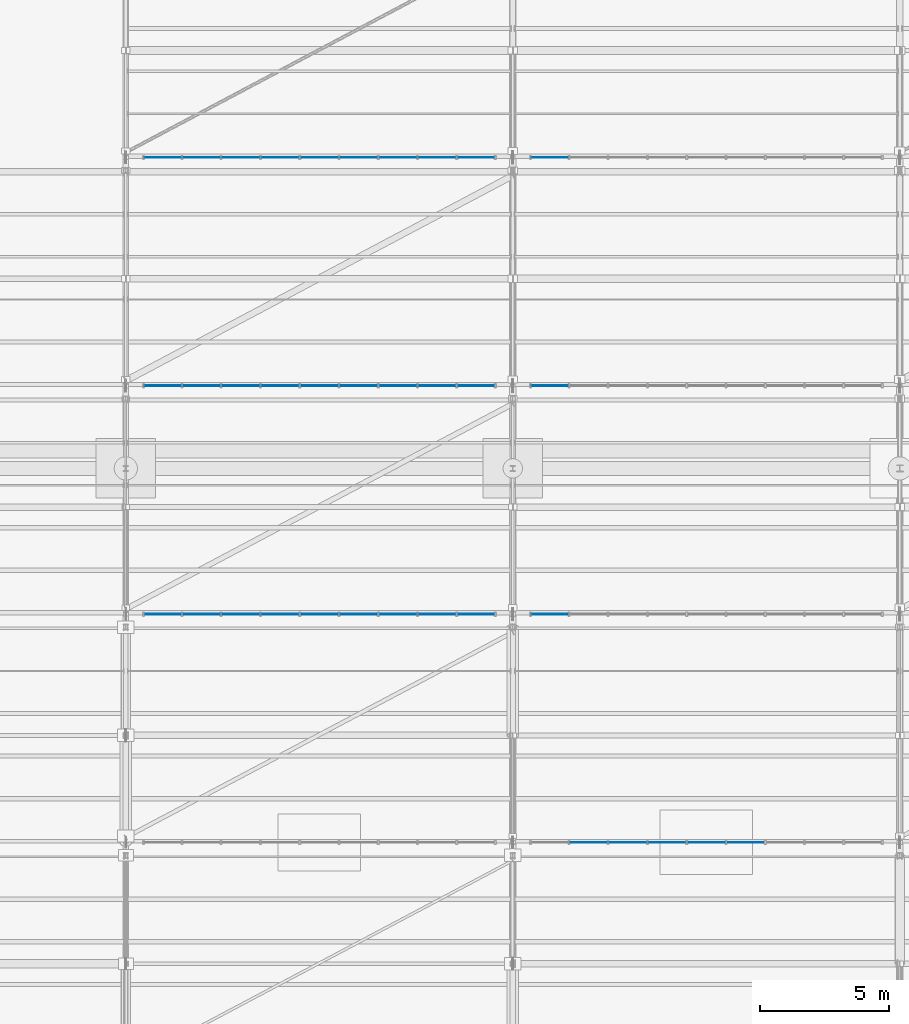
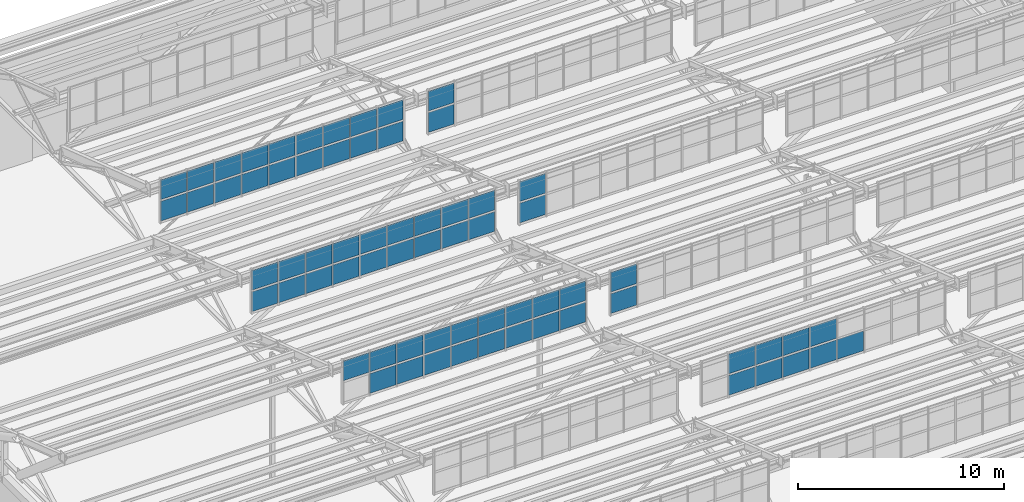
# One storey, part 168 of 285: 68 plates, 7 elements without a shape of their own.
"""IFC4 building model written with IfcOpenShell, lengths in metres."""

from ifc_helpers import new_model, si_unit, direction, frame, origin, origin_2d, place, context, subcontext, project, spatial, rectangle, extrude, material, layer, layer_set, type_object, element, aggregate, save


model = new_model("IFC4")

# Units and contexts
model_context = context("Model", 3, precision=1e-05, world=origin(), true_north=direction((0.0, 1.0)))
body_context = subcontext(model_context, "Body", "Model", "MODEL_VIEW")
ifc_project = project(units=[si_unit("LENGTHUNIT", "METRE"), si_unit("AREAUNIT", "SQUARE_METRE"), si_unit("VOLUMEUNIT", "CUBIC_METRE"), si_unit("PLANEANGLEUNIT", "RADIAN"), si_unit("MASSUNIT", "GRAM", prefix="KILO")], contexts=[model_context])

# Site, building, storey
site_placement = place(None, origin())
site = spatial("IfcSite", under=ifc_project, at=site_placement, CompositionType="ELEMENT")
building_placement = place(site_placement, origin())
building = spatial("IfcBuilding", under=site, at=building_placement, Name="Solanera Park Tramway Depot", CompositionType="ELEMENT")
storey_placement = place(building_placement, origin())
storey = spatial("IfcBuildingStorey", under=building, at=storey_placement, Name="L00", CompositionType="ELEMENT", Elevation=0.0)

# Curtain wall, plates
ifc_material_1 = material(Name="Bronze-anodised thermally broken aluminium curtain wall", Category="aluminium")
curtain_wall_type = type_object("IfcCurtainWallType", Name="Sawtooth Clerestory Monitor Curtain Wall", PredefinedType="NOTDEFINED", material=ifc_material_1)
curtain_wall_1_placement = place(storey_placement, origin())
curtain_wall_1 = element("IfcCurtainWall", 1, at=curtain_wall_1_placement, inside=storey, type_object=curtain_wall_type, Name="L00 Sawtooth Clerestory Monitor Curtain Wall #037", PredefinedType="NOTDEFINED")
ifc_material_2 = material(Name="Low-E laminated solar-control double glazing", Category="glass")
ifc_layer = layer(ifc_material_2, 0.028076171875)
ifc_layer_set = layer_set([ifc_layer], Name="Low-E laminated solar-control double glazing")
plate_type = type_object("IfcPlateType", Name="Curtain Wall Double Glazing Panel 28", PredefinedType="CURTAIN_PANEL", material=ifc_layer_set)
plate_1_placement = place(storey_placement, frame((32.933349609375, 100.0, 7.862060546875), z_axis=(0.0, 0.0, 1.0), x_axis=(1.0, 0.0, 0.0)))
plate_1 = element("IfcPlate", 2, at=plate_1_placement, type_object=plate_type, Name="CW-L00-037 Glazing Panel R1.C2", PredefinedType="CURTAIN_PANEL", context=body_context, shape_type="SweptSolid", body=[
    extrude(rectangle(XDim=1.47021484375, YDim=0.028076171875, at=origin_2d()), origin(), (0.0, 0.0, 1.0), 1.16650390625),
])
plate_2_placement = place(storey_placement, frame((34.45556640625, 100.0, 7.862060546875), z_axis=(0.0, 0.0, 1.0), x_axis=(1.0, 0.0, 0.0)))
plate_2 = element("IfcPlate", 3, at=plate_2_placement, type_object=plate_type, Name="CW-L00-037 Glazing Panel R1.C3", PredefinedType="CURTAIN_PANEL", context=body_context, shape_type="SweptSolid", body=[
    extrude(rectangle(XDim=1.47021484375, YDim=0.028076171875, at=origin_2d()), origin(), (0.0, 0.0, 1.0), 1.16650390625),
])
plate_3_placement = place(storey_placement, frame((35.977783203125, 100.0, 7.862060546875), z_axis=(0.0, 0.0, 1.0), x_axis=(1.0, 0.0, 0.0)))
plate_3 = element("IfcPlate", 4, at=plate_3_placement, type_object=plate_type, Name="CW-L00-037 Glazing Panel R1.C4", PredefinedType="CURTAIN_PANEL", context=body_context, shape_type="SweptSolid", body=[
    extrude(rectangle(XDim=1.47021484375, YDim=0.028076171875, at=origin_2d()), origin(), (0.0, 0.0, 1.0), 1.16650390625),
])
plate_4_placement = place(storey_placement, frame((37.5, 100.0, 7.862060546875), z_axis=(0.0, 0.0, 1.0), x_axis=(1.0, 0.0, 0.0)))
plate_4 = element("IfcPlate", 5, at=plate_4_placement, type_object=plate_type, Name="CW-L00-037 Glazing Panel R1.C5", PredefinedType="CURTAIN_PANEL", context=body_context, shape_type="SweptSolid", body=[
    extrude(rectangle(XDim=1.47021484375, YDim=0.028076171875, at=origin_2d()), origin(), (0.0, 0.0, 1.0), 1.16650390625),
])
plate_5_placement = place(storey_placement, frame((39.022216796875, 100.0, 7.862060546875), z_axis=(0.0, 0.0, 1.0), x_axis=(1.0, 0.0, 0.0)))
plate_5 = element("IfcPlate", 6, at=plate_5_placement, type_object=plate_type, Name="CW-L00-037 Glazing Panel R1.C6", PredefinedType="CURTAIN_PANEL", context=body_context, shape_type="SweptSolid", body=[
    extrude(rectangle(XDim=1.47021484375, YDim=0.028076171875, at=origin_2d()), origin(), (0.0, 0.0, 1.0), 1.16650390625),
])
plate_6_placement = place(storey_placement, frame((32.933349609375, 100.0, 9.132568359375), z_axis=(0.0, 0.0, 1.0), x_axis=(1.0, 0.0, 0.0)))
plate_6 = element("IfcPlate", 7, at=plate_6_placement, type_object=plate_type, Name="CW-L00-037 Glazing Panel R2.C2", PredefinedType="CURTAIN_PANEL", context=body_context, shape_type="SweptSolid", body=[
    extrude(rectangle(XDim=1.47021484375, YDim=0.028076171875, at=origin_2d()), origin(), (0.0, 0.0, 1.0), 1.16650390625),
])
plate_7_placement = place(storey_placement, frame((34.45556640625, 100.0, 9.132568359375), z_axis=(0.0, 0.0, 1.0), x_axis=(1.0, 0.0, 0.0)))
plate_7 = element("IfcPlate", 8, at=plate_7_placement, type_object=plate_type, Name="CW-L00-037 Glazing Panel R2.C3", PredefinedType="CURTAIN_PANEL", context=body_context, shape_type="SweptSolid", body=[
    extrude(rectangle(XDim=1.47021484375, YDim=0.028076171875, at=origin_2d()), origin(), (0.0, 0.0, 1.0), 1.16650390625),
])
plate_8_placement = place(storey_placement, frame((35.977783203125, 100.0, 9.132568359375), z_axis=(0.0, 0.0, 1.0), x_axis=(1.0, 0.0, 0.0)))
plate_8 = element("IfcPlate", 9, at=plate_8_placement, type_object=plate_type, Name="CW-L00-037 Glazing Panel R2.C4", PredefinedType="CURTAIN_PANEL", context=body_context, shape_type="SweptSolid", body=[
    extrude(rectangle(XDim=1.47021484375, YDim=0.028076171875, at=origin_2d()), origin(), (0.0, 0.0, 1.0), 1.16650390625),
])
plate_9_placement = place(storey_placement, frame((37.5, 100.0, 9.132568359375), z_axis=(0.0, 0.0, 1.0), x_axis=(1.0, 0.0, 0.0)))
plate_9 = element("IfcPlate", 10, at=plate_9_placement, type_object=plate_type, Name="CW-L00-037 Glazing Panel R2.C5", PredefinedType="CURTAIN_PANEL", context=body_context, shape_type="SweptSolid", body=[
    extrude(rectangle(XDim=1.47021484375, YDim=0.028076171875, at=origin_2d()), origin(), (0.0, 0.0, 1.0), 1.16650390625),
])
aggregate(curtain_wall_1, [plate_1, plate_2, plate_3, plate_4, plate_5, plate_6, plate_7, plate_8, plate_9])

curtain_wall_2_placement = place(storey_placement, origin())
curtain_wall_2 = element("IfcCurtainWall", 11, at=curtain_wall_2_placement, inside=storey, type_object=curtain_wall_type, Name="L00 Sawtooth Clerestory Monitor Curtain Wall #044", PredefinedType="NOTDEFINED")
plate_10_placement = place(storey_placement, frame((17.933349609375, 108.85009765625, 7.862060546875), z_axis=(0.0, 0.0, 1.0), x_axis=(1.0, 0.0, 0.0)))
plate_10 = element("IfcPlate", 12, at=plate_10_placement, type_object=plate_type, Name="CW-L00-044 Glazing Panel R1.C2", PredefinedType="CURTAIN_PANEL", context=body_context, shape_type="SweptSolid", body=[
    extrude(rectangle(XDim=1.47021484375, YDim=0.028076171875, at=origin_2d()), origin(), (0.0, 0.0, 1.0), 1.16650390625),
])
plate_11_placement = place(storey_placement, frame((19.45556640625, 108.85009765625, 7.862060546875), z_axis=(0.0, 0.0, 1.0), x_axis=(1.0, 0.0, 0.0)))
plate_11 = element("IfcPlate", 13, at=plate_11_placement, type_object=plate_type, Name="CW-L00-044 Glazing Panel R1.C3", PredefinedType="CURTAIN_PANEL", context=body_context, shape_type="SweptSolid", body=[
    extrude(rectangle(XDim=1.47021484375, YDim=0.028076171875, at=origin_2d()), origin(), (0.0, 0.0, 1.0), 1.16650390625),
])
plate_12_placement = place(storey_placement, frame((20.977783203125, 108.85009765625, 7.862060546875), z_axis=(0.0, 0.0, 1.0), x_axis=(1.0, 0.0, 0.0)))
plate_12 = element("IfcPlate", 14, at=plate_12_placement, type_object=plate_type, Name="CW-L00-044 Glazing Panel R1.C4", PredefinedType="CURTAIN_PANEL", context=body_context, shape_type="SweptSolid", body=[
    extrude(rectangle(XDim=1.47021484375, YDim=0.028076171875, at=origin_2d()), origin(), (0.0, 0.0, 1.0), 1.16650390625),
])
plate_13_placement = place(storey_placement, frame((22.5, 108.85009765625, 7.862060546875), z_axis=(0.0, 0.0, 1.0), x_axis=(1.0, 0.0, 0.0)))
plate_13 = element("IfcPlate", 15, at=plate_13_placement, type_object=plate_type, Name="CW-L00-044 Glazing Panel R1.C5", PredefinedType="CURTAIN_PANEL", context=body_context, shape_type="SweptSolid", body=[
    extrude(rectangle(XDim=1.47021484375, YDim=0.028076171875, at=origin_2d()), origin(), (0.0, 0.0, 1.0), 1.16650390625),
])
plate_14_placement = place(storey_placement, frame((24.022216796875, 108.85009765625, 7.862060546875), z_axis=(0.0, 0.0, 1.0), x_axis=(1.0, 0.0, 0.0)))
plate_14 = element("IfcPlate", 16, at=plate_14_placement, type_object=plate_type, Name="CW-L00-044 Glazing Panel R1.C6", PredefinedType="CURTAIN_PANEL", context=body_context, shape_type="SweptSolid", body=[
    extrude(rectangle(XDim=1.47021484375, YDim=0.028076171875, at=origin_2d()), origin(), (0.0, 0.0, 1.0), 1.16650390625),
])
plate_15_placement = place(storey_placement, frame((25.54443359375, 108.85009765625, 7.862060546875), z_axis=(0.0, 0.0, 1.0), x_axis=(1.0, 0.0, 0.0)))
plate_15 = element("IfcPlate", 17, at=plate_15_placement, type_object=plate_type, Name="CW-L00-044 Glazing Panel R1.C7", PredefinedType="CURTAIN_PANEL", context=body_context, shape_type="SweptSolid", body=[
    extrude(rectangle(XDim=1.47021484375, YDim=0.028076171875, at=origin_2d()), origin(), (0.0, 0.0, 1.0), 1.16650390625),
])
plate_16_placement = place(storey_placement, frame((27.066650390625, 108.85009765625, 7.862060546875), z_axis=(0.0, 0.0, 1.0), x_axis=(1.0, 0.0, 0.0)))
plate_16 = element("IfcPlate", 18, at=plate_16_placement, type_object=plate_type, Name="CW-L00-044 Glazing Panel R1.C8", PredefinedType="CURTAIN_PANEL", context=body_context, shape_type="SweptSolid", body=[
    extrude(rectangle(XDim=1.47021484375, YDim=0.028076171875, at=origin_2d()), origin(), (0.0, 0.0, 1.0), 1.16650390625),
])
plate_17_placement = place(storey_placement, frame((28.572509765625, 108.85009765625, 7.862060546875), z_axis=(0.0, 0.0, 1.0), x_axis=(1.0, 0.0, 0.0)))
plate_17 = element("IfcPlate", 19, at=plate_17_placement, type_object=plate_type, Name="CW-L00-044 Glazing Panel R1.C9", PredefinedType="CURTAIN_PANEL", context=body_context, shape_type="SweptSolid", body=[
    extrude(rectangle(XDim=1.437744140625, YDim=0.028076171875, at=origin_2d()), origin(), (0.0, 0.0, 1.0), 1.16650390625),
])
plate_18_placement = place(storey_placement, frame((16.427490234375, 108.85009765625, 9.132568359375), z_axis=(0.0, 0.0, 1.0), x_axis=(1.0, 0.0, 0.0)))
plate_18 = element("IfcPlate", 20, at=plate_18_placement, type_object=plate_type, Name="CW-L00-044 Glazing Panel R2.C1", PredefinedType="CURTAIN_PANEL", context=body_context, shape_type="SweptSolid", body=[
    extrude(rectangle(XDim=1.437744140625, YDim=0.028076171875, at=origin_2d()), origin(), (0.0, 0.0, 1.0), 1.16650390625),
])
plate_19_placement = place(storey_placement, frame((17.933349609375, 108.85009765625, 9.132568359375), z_axis=(0.0, 0.0, 1.0), x_axis=(1.0, 0.0, 0.0)))
plate_19 = element("IfcPlate", 21, at=plate_19_placement, type_object=plate_type, Name="CW-L00-044 Glazing Panel R2.C2", PredefinedType="CURTAIN_PANEL", context=body_context, shape_type="SweptSolid", body=[
    extrude(rectangle(XDim=1.47021484375, YDim=0.028076171875, at=origin_2d()), origin(), (0.0, 0.0, 1.0), 1.16650390625),
])
plate_20_placement = place(storey_placement, frame((19.45556640625, 108.85009765625, 9.132568359375), z_axis=(0.0, 0.0, 1.0), x_axis=(1.0, 0.0, 0.0)))
plate_20 = element("IfcPlate", 22, at=plate_20_placement, type_object=plate_type, Name="CW-L00-044 Glazing Panel R2.C3", PredefinedType="CURTAIN_PANEL", context=body_context, shape_type="SweptSolid", body=[
    extrude(rectangle(XDim=1.47021484375, YDim=0.028076171875, at=origin_2d()), origin(), (0.0, 0.0, 1.0), 1.16650390625),
])
plate_21_placement = place(storey_placement, frame((20.977783203125, 108.85009765625, 9.132568359375), z_axis=(0.0, 0.0, 1.0), x_axis=(1.0, 0.0, 0.0)))
plate_21 = element("IfcPlate", 23, at=plate_21_placement, type_object=plate_type, Name="CW-L00-044 Glazing Panel R2.C4", PredefinedType="CURTAIN_PANEL", context=body_context, shape_type="SweptSolid", body=[
    extrude(rectangle(XDim=1.47021484375, YDim=0.028076171875, at=origin_2d()), origin(), (0.0, 0.0, 1.0), 1.16650390625),
])
plate_22_placement = place(storey_placement, frame((22.5, 108.85009765625, 9.132568359375), z_axis=(0.0, 0.0, 1.0), x_axis=(1.0, 0.0, 0.0)))
plate_22 = element("IfcPlate", 24, at=plate_22_placement, type_object=plate_type, Name="CW-L00-044 Glazing Panel R2.C5", PredefinedType="CURTAIN_PANEL", context=body_context, shape_type="SweptSolid", body=[
    extrude(rectangle(XDim=1.47021484375, YDim=0.028076171875, at=origin_2d()), origin(), (0.0, 0.0, 1.0), 1.16650390625),
])
plate_23_placement = place(storey_placement, frame((24.022216796875, 108.85009765625, 9.132568359375), z_axis=(0.0, 0.0, 1.0), x_axis=(1.0, 0.0, 0.0)))
plate_23 = element("IfcPlate", 25, at=plate_23_placement, type_object=plate_type, Name="CW-L00-044 Glazing Panel R2.C6", PredefinedType="CURTAIN_PANEL", context=body_context, shape_type="SweptSolid", body=[
    extrude(rectangle(XDim=1.47021484375, YDim=0.028076171875, at=origin_2d()), origin(), (0.0, 0.0, 1.0), 1.16650390625),
])
plate_24_placement = place(storey_placement, frame((25.54443359375, 108.85009765625, 9.132568359375), z_axis=(0.0, 0.0, 1.0), x_axis=(1.0, 0.0, 0.0)))
plate_24 = element("IfcPlate", 26, at=plate_24_placement, type_object=plate_type, Name="CW-L00-044 Glazing Panel R2.C7", PredefinedType="CURTAIN_PANEL", context=body_context, shape_type="SweptSolid", body=[
    extrude(rectangle(XDim=1.47021484375, YDim=0.028076171875, at=origin_2d()), origin(), (0.0, 0.0, 1.0), 1.16650390625),
])
plate_25_placement = place(storey_placement, frame((27.066650390625, 108.85009765625, 9.132568359375), z_axis=(0.0, 0.0, 1.0), x_axis=(1.0, 0.0, 0.0)))
plate_25 = element("IfcPlate", 27, at=plate_25_placement, type_object=plate_type, Name="CW-L00-044 Glazing Panel R2.C8", PredefinedType="CURTAIN_PANEL", context=body_context, shape_type="SweptSolid", body=[
    extrude(rectangle(XDim=1.47021484375, YDim=0.028076171875, at=origin_2d()), origin(), (0.0, 0.0, 1.0), 1.16650390625),
])
plate_26_placement = place(storey_placement, frame((28.572509765625, 108.85009765625, 9.132568359375), z_axis=(0.0, 0.0, 1.0), x_axis=(1.0, 0.0, 0.0)))
plate_26 = element("IfcPlate", 28, at=plate_26_placement, type_object=plate_type, Name="CW-L00-044 Glazing Panel R2.C9", PredefinedType="CURTAIN_PANEL", context=body_context, shape_type="SweptSolid", body=[
    extrude(rectangle(XDim=1.437744140625, YDim=0.028076171875, at=origin_2d()), origin(), (0.0, 0.0, 1.0), 1.16650390625),
])
aggregate(curtain_wall_2, [plate_10, plate_11, plate_12, plate_13, plate_14, plate_15, plate_16, plate_17, plate_18, plate_19, plate_20, plate_21, plate_22, plate_23, plate_24, plate_25, plate_26])

curtain_wall_3_placement = place(storey_placement, origin())
curtain_wall_3 = element("IfcCurtainWall", 29, at=curtain_wall_3_placement, inside=storey, type_object=curtain_wall_type, Name="L00 Sawtooth Clerestory Monitor Curtain Wall #045", PredefinedType="NOTDEFINED")
plate_27_placement = place(storey_placement, frame((31.427490234375, 108.85009765625, 7.862060546875), z_axis=(0.0, 0.0, 1.0), x_axis=(1.0, 0.0, 0.0)))
plate_27 = element("IfcPlate", 30, at=plate_27_placement, type_object=plate_type, Name="CW-L00-045 Glazing Panel R1.C1", PredefinedType="CURTAIN_PANEL", context=body_context, shape_type="SweptSolid", body=[
    extrude(rectangle(XDim=1.437744140625, YDim=0.028076171875, at=origin_2d()), origin(), (0.0, 0.0, 1.0), 1.16650390625),
])
plate_28_placement = place(storey_placement, frame((31.427490234375, 108.85009765625, 9.132568359375), z_axis=(0.0, 0.0, 1.0), x_axis=(1.0, 0.0, 0.0)))
plate_28 = element("IfcPlate", 31, at=plate_28_placement, type_object=plate_type, Name="CW-L00-045 Glazing Panel R2.C1", PredefinedType="CURTAIN_PANEL", context=body_context, shape_type="SweptSolid", body=[
    extrude(rectangle(XDim=1.437744140625, YDim=0.028076171875, at=origin_2d()), origin(), (0.0, 0.0, 1.0), 1.16650390625),
])
aggregate(curtain_wall_3, [plate_27, plate_28])

curtain_wall_4_placement = place(storey_placement, origin())
curtain_wall_4 = element("IfcCurtainWall", 32, at=curtain_wall_4_placement, inside=storey, type_object=curtain_wall_type, Name="L00 Sawtooth Clerestory Monitor Curtain Wall #052", PredefinedType="NOTDEFINED")
plate_29_placement = place(storey_placement, frame((16.427490234375, 117.699951171875, 7.862060546875), z_axis=(0.0, 0.0, 1.0), x_axis=(1.0, 0.0, 0.0)))
plate_29 = element("IfcPlate", 33, at=plate_29_placement, type_object=plate_type, Name="CW-L00-052 Glazing Panel R1.C1", PredefinedType="CURTAIN_PANEL", context=body_context, shape_type="SweptSolid", body=[
    extrude(rectangle(XDim=1.437744140625, YDim=0.028076171875, at=origin_2d()), origin(), (0.0, 0.0, 1.0), 1.16650390625),
])
plate_30_placement = place(storey_placement, frame((17.933349609375, 117.699951171875, 7.862060546875), z_axis=(0.0, 0.0, 1.0), x_axis=(1.0, 0.0, 0.0)))
plate_30 = element("IfcPlate", 34, at=plate_30_placement, type_object=plate_type, Name="CW-L00-052 Glazing Panel R1.C2", PredefinedType="CURTAIN_PANEL", context=body_context, shape_type="SweptSolid", body=[
    extrude(rectangle(XDim=1.47021484375, YDim=0.028076171875, at=origin_2d()), origin(), (0.0, 0.0, 1.0), 1.16650390625),
])
plate_31_placement = place(storey_placement, frame((19.45556640625, 117.699951171875, 7.862060546875), z_axis=(0.0, 0.0, 1.0), x_axis=(1.0, 0.0, 0.0)))
plate_31 = element("IfcPlate", 35, at=plate_31_placement, type_object=plate_type, Name="CW-L00-052 Glazing Panel R1.C3", PredefinedType="CURTAIN_PANEL", context=body_context, shape_type="SweptSolid", body=[
    extrude(rectangle(XDim=1.47021484375, YDim=0.028076171875, at=origin_2d()), origin(), (0.0, 0.0, 1.0), 1.16650390625),
])
plate_32_placement = place(storey_placement, frame((20.977783203125, 117.699951171875, 7.862060546875), z_axis=(0.0, 0.0, 1.0), x_axis=(1.0, 0.0, 0.0)))
plate_32 = element("IfcPlate", 36, at=plate_32_placement, type_object=plate_type, Name="CW-L00-052 Glazing Panel R1.C4", PredefinedType="CURTAIN_PANEL", context=body_context, shape_type="SweptSolid", body=[
    extrude(rectangle(XDim=1.47021484375, YDim=0.028076171875, at=origin_2d()), origin(), (0.0, 0.0, 1.0), 1.16650390625),
])
plate_33_placement = place(storey_placement, frame((22.5, 117.699951171875, 7.862060546875), z_axis=(0.0, 0.0, 1.0), x_axis=(1.0, 0.0, 0.0)))
plate_33 = element("IfcPlate", 37, at=plate_33_placement, type_object=plate_type, Name="CW-L00-052 Glazing Panel R1.C5", PredefinedType="CURTAIN_PANEL", context=body_context, shape_type="SweptSolid", body=[
    extrude(rectangle(XDim=1.47021484375, YDim=0.028076171875, at=origin_2d()), origin(), (0.0, 0.0, 1.0), 1.16650390625),
])
plate_34_placement = place(storey_placement, frame((24.022216796875, 117.699951171875, 7.862060546875), z_axis=(0.0, 0.0, 1.0), x_axis=(1.0, 0.0, 0.0)))
plate_34 = element("IfcPlate", 38, at=plate_34_placement, type_object=plate_type, Name="CW-L00-052 Glazing Panel R1.C6", PredefinedType="CURTAIN_PANEL", context=body_context, shape_type="SweptSolid", body=[
    extrude(rectangle(XDim=1.47021484375, YDim=0.028076171875, at=origin_2d()), origin(), (0.0, 0.0, 1.0), 1.16650390625),
])
plate_35_placement = place(storey_placement, frame((25.54443359375, 117.699951171875, 7.862060546875), z_axis=(0.0, 0.0, 1.0), x_axis=(1.0, 0.0, 0.0)))
plate_35 = element("IfcPlate", 39, at=plate_35_placement, type_object=plate_type, Name="CW-L00-052 Glazing Panel R1.C7", PredefinedType="CURTAIN_PANEL", context=body_context, shape_type="SweptSolid", body=[
    extrude(rectangle(XDim=1.47021484375, YDim=0.028076171875, at=origin_2d()), origin(), (0.0, 0.0, 1.0), 1.16650390625),
])
plate_36_placement = place(storey_placement, frame((27.066650390625, 117.699951171875, 7.862060546875), z_axis=(0.0, 0.0, 1.0), x_axis=(1.0, 0.0, 0.0)))
plate_36 = element("IfcPlate", 40, at=plate_36_placement, type_object=plate_type, Name="CW-L00-052 Glazing Panel R1.C8", PredefinedType="CURTAIN_PANEL", context=body_context, shape_type="SweptSolid", body=[
    extrude(rectangle(XDim=1.47021484375, YDim=0.028076171875, at=origin_2d()), origin(), (0.0, 0.0, 1.0), 1.16650390625),
])
plate_37_placement = place(storey_placement, frame((28.572509765625, 117.699951171875, 7.862060546875), z_axis=(0.0, 0.0, 1.0), x_axis=(1.0, 0.0, 0.0)))
plate_37 = element("IfcPlate", 41, at=plate_37_placement, type_object=plate_type, Name="CW-L00-052 Glazing Panel R1.C9", PredefinedType="CURTAIN_PANEL", context=body_context, shape_type="SweptSolid", body=[
    extrude(rectangle(XDim=1.437744140625, YDim=0.028076171875, at=origin_2d()), origin(), (0.0, 0.0, 1.0), 1.16650390625),
])
plate_38_placement = place(storey_placement, frame((16.427490234375, 117.699951171875, 9.132568359375), z_axis=(0.0, 0.0, 1.0), x_axis=(1.0, 0.0, 0.0)))
plate_38 = element("IfcPlate", 42, at=plate_38_placement, type_object=plate_type, Name="CW-L00-052 Glazing Panel R2.C1", PredefinedType="CURTAIN_PANEL", context=body_context, shape_type="SweptSolid", body=[
    extrude(rectangle(XDim=1.437744140625, YDim=0.028076171875, at=origin_2d()), origin(), (0.0, 0.0, 1.0), 1.16650390625),
])
plate_39_placement = place(storey_placement, frame((17.933349609375, 117.699951171875, 9.132568359375), z_axis=(0.0, 0.0, 1.0), x_axis=(1.0, 0.0, 0.0)))
plate_39 = element("IfcPlate", 43, at=plate_39_placement, type_object=plate_type, Name="CW-L00-052 Glazing Panel R2.C2", PredefinedType="CURTAIN_PANEL", context=body_context, shape_type="SweptSolid", body=[
    extrude(rectangle(XDim=1.47021484375, YDim=0.028076171875, at=origin_2d()), origin(), (0.0, 0.0, 1.0), 1.16650390625),
])
plate_40_placement = place(storey_placement, frame((19.45556640625, 117.699951171875, 9.132568359375), z_axis=(0.0, 0.0, 1.0), x_axis=(1.0, 0.0, 0.0)))
plate_40 = element("IfcPlate", 44, at=plate_40_placement, type_object=plate_type, Name="CW-L00-052 Glazing Panel R2.C3", PredefinedType="CURTAIN_PANEL", context=body_context, shape_type="SweptSolid", body=[
    extrude(rectangle(XDim=1.47021484375, YDim=0.028076171875, at=origin_2d()), origin(), (0.0, 0.0, 1.0), 1.16650390625),
])
plate_41_placement = place(storey_placement, frame((20.977783203125, 117.699951171875, 9.132568359375), z_axis=(0.0, 0.0, 1.0), x_axis=(1.0, 0.0, 0.0)))
plate_41 = element("IfcPlate", 45, at=plate_41_placement, type_object=plate_type, Name="CW-L00-052 Glazing Panel R2.C4", PredefinedType="CURTAIN_PANEL", context=body_context, shape_type="SweptSolid", body=[
    extrude(rectangle(XDim=1.47021484375, YDim=0.028076171875, at=origin_2d()), origin(), (0.0, 0.0, 1.0), 1.16650390625),
])
plate_42_placement = place(storey_placement, frame((22.5, 117.699951171875, 9.132568359375), z_axis=(0.0, 0.0, 1.0), x_axis=(1.0, 0.0, 0.0)))
plate_42 = element("IfcPlate", 46, at=plate_42_placement, type_object=plate_type, Name="CW-L00-052 Glazing Panel R2.C5", PredefinedType="CURTAIN_PANEL", context=body_context, shape_type="SweptSolid", body=[
    extrude(rectangle(XDim=1.47021484375, YDim=0.028076171875, at=origin_2d()), origin(), (0.0, 0.0, 1.0), 1.16650390625),
])
plate_43_placement = place(storey_placement, frame((24.022216796875, 117.699951171875, 9.132568359375), z_axis=(0.0, 0.0, 1.0), x_axis=(1.0, 0.0, 0.0)))
plate_43 = element("IfcPlate", 47, at=plate_43_placement, type_object=plate_type, Name="CW-L00-052 Glazing Panel R2.C6", PredefinedType="CURTAIN_PANEL", context=body_context, shape_type="SweptSolid", body=[
    extrude(rectangle(XDim=1.47021484375, YDim=0.028076171875, at=origin_2d()), origin(), (0.0, 0.0, 1.0), 1.16650390625),
])
plate_44_placement = place(storey_placement, frame((25.54443359375, 117.699951171875, 9.132568359375), z_axis=(0.0, 0.0, 1.0), x_axis=(1.0, 0.0, 0.0)))
plate_44 = element("IfcPlate", 48, at=plate_44_placement, type_object=plate_type, Name="CW-L00-052 Glazing Panel R2.C7", PredefinedType="CURTAIN_PANEL", context=body_context, shape_type="SweptSolid", body=[
    extrude(rectangle(XDim=1.47021484375, YDim=0.028076171875, at=origin_2d()), origin(), (0.0, 0.0, 1.0), 1.16650390625),
])
plate_45_placement = place(storey_placement, frame((27.066650390625, 117.699951171875, 9.132568359375), z_axis=(0.0, 0.0, 1.0), x_axis=(1.0, 0.0, 0.0)))
plate_45 = element("IfcPlate", 49, at=plate_45_placement, type_object=plate_type, Name="CW-L00-052 Glazing Panel R2.C8", PredefinedType="CURTAIN_PANEL", context=body_context, shape_type="SweptSolid", body=[
    extrude(rectangle(XDim=1.47021484375, YDim=0.028076171875, at=origin_2d()), origin(), (0.0, 0.0, 1.0), 1.16650390625),
])
plate_46_placement = place(storey_placement, frame((28.572509765625, 117.699951171875, 9.132568359375), z_axis=(0.0, 0.0, 1.0), x_axis=(1.0, 0.0, 0.0)))
plate_46 = element("IfcPlate", 50, at=plate_46_placement, type_object=plate_type, Name="CW-L00-052 Glazing Panel R2.C9", PredefinedType="CURTAIN_PANEL", context=body_context, shape_type="SweptSolid", body=[
    extrude(rectangle(XDim=1.437744140625, YDim=0.028076171875, at=origin_2d()), origin(), (0.0, 0.0, 1.0), 1.16650390625),
])
aggregate(curtain_wall_4, [plate_29, plate_30, plate_31, plate_32, plate_33, plate_34, plate_35, plate_36, plate_37, plate_38, plate_39, plate_40, plate_41, plate_42, plate_43, plate_44, plate_45, plate_46])

curtain_wall_5_placement = place(storey_placement, origin())
curtain_wall_5 = element("IfcCurtainWall", 51, at=curtain_wall_5_placement, inside=storey, type_object=curtain_wall_type, Name="L00 Sawtooth Clerestory Monitor Curtain Wall #053", PredefinedType="NOTDEFINED")
plate_47_placement = place(storey_placement, frame((31.427490234375, 117.699951171875, 7.862060546875), z_axis=(0.0, 0.0, 1.0), x_axis=(1.0, 0.0, 0.0)))
plate_47 = element("IfcPlate", 52, at=plate_47_placement, type_object=plate_type, Name="CW-L00-053 Glazing Panel R1.C1", PredefinedType="CURTAIN_PANEL", context=body_context, shape_type="SweptSolid", body=[
    extrude(rectangle(XDim=1.437744140625, YDim=0.028076171875, at=origin_2d()), origin(), (0.0, 0.0, 1.0), 1.16650390625),
])
plate_48_placement = place(storey_placement, frame((31.427490234375, 117.699951171875, 9.132568359375), z_axis=(0.0, 0.0, 1.0), x_axis=(1.0, 0.0, 0.0)))
plate_48 = element("IfcPlate", 53, at=plate_48_placement, type_object=plate_type, Name="CW-L00-053 Glazing Panel R2.C1", PredefinedType="CURTAIN_PANEL", context=body_context, shape_type="SweptSolid", body=[
    extrude(rectangle(XDim=1.437744140625, YDim=0.028076171875, at=origin_2d()), origin(), (0.0, 0.0, 1.0), 1.16650390625),
])
aggregate(curtain_wall_5, [plate_47, plate_48])

curtain_wall_6_placement = place(storey_placement, origin())
curtain_wall_6 = element("IfcCurtainWall", 54, at=curtain_wall_6_placement, inside=storey, type_object=curtain_wall_type, Name="L00 Sawtooth Clerestory Monitor Curtain Wall #060", PredefinedType="NOTDEFINED")
plate_49_placement = place(storey_placement, frame((16.427490234375, 126.550048828125, 7.862060546875), z_axis=(0.0, 0.0, 1.0), x_axis=(1.0, 0.0, 0.0)))
plate_49 = element("IfcPlate", 55, at=plate_49_placement, type_object=plate_type, Name="CW-L00-060 Glazing Panel R1.C1", PredefinedType="CURTAIN_PANEL", context=body_context, shape_type="SweptSolid", body=[
    extrude(rectangle(XDim=1.437744140625, YDim=0.028076171875, at=origin_2d()), origin(), (0.0, 0.0, 1.0), 1.16650390625),
])
plate_50_placement = place(storey_placement, frame((17.933349609375, 126.550048828125, 7.862060546875), z_axis=(0.0, 0.0, 1.0), x_axis=(1.0, 0.0, 0.0)))
plate_50 = element("IfcPlate", 56, at=plate_50_placement, type_object=plate_type, Name="CW-L00-060 Glazing Panel R1.C2", PredefinedType="CURTAIN_PANEL", context=body_context, shape_type="SweptSolid", body=[
    extrude(rectangle(XDim=1.47021484375, YDim=0.028076171875, at=origin_2d()), origin(), (0.0, 0.0, 1.0), 1.16650390625),
])
plate_51_placement = place(storey_placement, frame((19.45556640625, 126.550048828125, 7.862060546875), z_axis=(0.0, 0.0, 1.0), x_axis=(1.0, 0.0, 0.0)))
plate_51 = element("IfcPlate", 57, at=plate_51_placement, type_object=plate_type, Name="CW-L00-060 Glazing Panel R1.C3", PredefinedType="CURTAIN_PANEL", context=body_context, shape_type="SweptSolid", body=[
    extrude(rectangle(XDim=1.47021484375, YDim=0.028076171875, at=origin_2d()), origin(), (0.0, 0.0, 1.0), 1.16650390625),
])
plate_52_placement = place(storey_placement, frame((20.977783203125, 126.550048828125, 7.862060546875), z_axis=(0.0, 0.0, 1.0), x_axis=(1.0, 0.0, 0.0)))
plate_52 = element("IfcPlate", 58, at=plate_52_placement, type_object=plate_type, Name="CW-L00-060 Glazing Panel R1.C4", PredefinedType="CURTAIN_PANEL", context=body_context, shape_type="SweptSolid", body=[
    extrude(rectangle(XDim=1.47021484375, YDim=0.028076171875, at=origin_2d()), origin(), (0.0, 0.0, 1.0), 1.16650390625),
])
plate_53_placement = place(storey_placement, frame((22.5, 126.550048828125, 7.862060546875), z_axis=(0.0, 0.0, 1.0), x_axis=(1.0, 0.0, 0.0)))
plate_53 = element("IfcPlate", 59, at=plate_53_placement, type_object=plate_type, Name="CW-L00-060 Glazing Panel R1.C5", PredefinedType="CURTAIN_PANEL", context=body_context, shape_type="SweptSolid", body=[
    extrude(rectangle(XDim=1.47021484375, YDim=0.028076171875, at=origin_2d()), origin(), (0.0, 0.0, 1.0), 1.16650390625),
])
plate_54_placement = place(storey_placement, frame((24.022216796875, 126.550048828125, 7.862060546875), z_axis=(0.0, 0.0, 1.0), x_axis=(1.0, 0.0, 0.0)))
plate_54 = element("IfcPlate", 60, at=plate_54_placement, type_object=plate_type, Name="CW-L00-060 Glazing Panel R1.C6", PredefinedType="CURTAIN_PANEL", context=body_context, shape_type="SweptSolid", body=[
    extrude(rectangle(XDim=1.47021484375, YDim=0.028076171875, at=origin_2d()), origin(), (0.0, 0.0, 1.0), 1.16650390625),
])
plate_55_placement = place(storey_placement, frame((25.54443359375, 126.550048828125, 7.862060546875), z_axis=(0.0, 0.0, 1.0), x_axis=(1.0, 0.0, 0.0)))
plate_55 = element("IfcPlate", 61, at=plate_55_placement, type_object=plate_type, Name="CW-L00-060 Glazing Panel R1.C7", PredefinedType="CURTAIN_PANEL", context=body_context, shape_type="SweptSolid", body=[
    extrude(rectangle(XDim=1.47021484375, YDim=0.028076171875, at=origin_2d()), origin(), (0.0, 0.0, 1.0), 1.16650390625),
])
plate_56_placement = place(storey_placement, frame((27.066650390625, 126.550048828125, 7.862060546875), z_axis=(0.0, 0.0, 1.0), x_axis=(1.0, 0.0, 0.0)))
plate_56 = element("IfcPlate", 62, at=plate_56_placement, type_object=plate_type, Name="CW-L00-060 Glazing Panel R1.C8", PredefinedType="CURTAIN_PANEL", context=body_context, shape_type="SweptSolid", body=[
    extrude(rectangle(XDim=1.47021484375, YDim=0.028076171875, at=origin_2d()), origin(), (0.0, 0.0, 1.0), 1.16650390625),
])
plate_57_placement = place(storey_placement, frame((28.572509765625, 126.550048828125, 7.862060546875), z_axis=(0.0, 0.0, 1.0), x_axis=(1.0, 0.0, 0.0)))
plate_57 = element("IfcPlate", 63, at=plate_57_placement, type_object=plate_type, Name="CW-L00-060 Glazing Panel R1.C9", PredefinedType="CURTAIN_PANEL", context=body_context, shape_type="SweptSolid", body=[
    extrude(rectangle(XDim=1.437744140625, YDim=0.028076171875, at=origin_2d()), origin(), (0.0, 0.0, 1.0), 1.16650390625),
])
plate_58_placement = place(storey_placement, frame((16.427490234375, 126.550048828125, 9.132568359375), z_axis=(0.0, 0.0, 1.0), x_axis=(1.0, 0.0, 0.0)))
plate_58 = element("IfcPlate", 64, at=plate_58_placement, type_object=plate_type, Name="CW-L00-060 Glazing Panel R2.C1", PredefinedType="CURTAIN_PANEL", context=body_context, shape_type="SweptSolid", body=[
    extrude(rectangle(XDim=1.437744140625, YDim=0.028076171875, at=origin_2d()), origin(), (0.0, 0.0, 1.0), 1.16650390625),
])
plate_59_placement = place(storey_placement, frame((17.933349609375, 126.550048828125, 9.132568359375), z_axis=(0.0, 0.0, 1.0), x_axis=(1.0, 0.0, 0.0)))
plate_59 = element("IfcPlate", 65, at=plate_59_placement, type_object=plate_type, Name="CW-L00-060 Glazing Panel R2.C2", PredefinedType="CURTAIN_PANEL", context=body_context, shape_type="SweptSolid", body=[
    extrude(rectangle(XDim=1.47021484375, YDim=0.028076171875, at=origin_2d()), origin(), (0.0, 0.0, 1.0), 1.16650390625),
])
plate_60_placement = place(storey_placement, frame((19.45556640625, 126.550048828125, 9.132568359375), z_axis=(0.0, 0.0, 1.0), x_axis=(1.0, 0.0, 0.0)))
plate_60 = element("IfcPlate", 66, at=plate_60_placement, type_object=plate_type, Name="CW-L00-060 Glazing Panel R2.C3", PredefinedType="CURTAIN_PANEL", context=body_context, shape_type="SweptSolid", body=[
    extrude(rectangle(XDim=1.47021484375, YDim=0.028076171875, at=origin_2d()), origin(), (0.0, 0.0, 1.0), 1.16650390625),
])
plate_61_placement = place(storey_placement, frame((20.977783203125, 126.550048828125, 9.132568359375), z_axis=(0.0, 0.0, 1.0), x_axis=(1.0, 0.0, 0.0)))
plate_61 = element("IfcPlate", 67, at=plate_61_placement, type_object=plate_type, Name="CW-L00-060 Glazing Panel R2.C4", PredefinedType="CURTAIN_PANEL", context=body_context, shape_type="SweptSolid", body=[
    extrude(rectangle(XDim=1.47021484375, YDim=0.028076171875, at=origin_2d()), origin(), (0.0, 0.0, 1.0), 1.16650390625),
])
plate_62_placement = place(storey_placement, frame((22.5, 126.550048828125, 9.132568359375), z_axis=(0.0, 0.0, 1.0), x_axis=(1.0, 0.0, 0.0)))
plate_62 = element("IfcPlate", 68, at=plate_62_placement, type_object=plate_type, Name="CW-L00-060 Glazing Panel R2.C5", PredefinedType="CURTAIN_PANEL", context=body_context, shape_type="SweptSolid", body=[
    extrude(rectangle(XDim=1.47021484375, YDim=0.028076171875, at=origin_2d()), origin(), (0.0, 0.0, 1.0), 1.16650390625),
])
plate_63_placement = place(storey_placement, frame((24.022216796875, 126.550048828125, 9.132568359375), z_axis=(0.0, 0.0, 1.0), x_axis=(1.0, 0.0, 0.0)))
plate_63 = element("IfcPlate", 69, at=plate_63_placement, type_object=plate_type, Name="CW-L00-060 Glazing Panel R2.C6", PredefinedType="CURTAIN_PANEL", context=body_context, shape_type="SweptSolid", body=[
    extrude(rectangle(XDim=1.47021484375, YDim=0.028076171875, at=origin_2d()), origin(), (0.0, 0.0, 1.0), 1.16650390625),
])
plate_64_placement = place(storey_placement, frame((25.54443359375, 126.550048828125, 9.132568359375), z_axis=(0.0, 0.0, 1.0), x_axis=(1.0, 0.0, 0.0)))
plate_64 = element("IfcPlate", 70, at=plate_64_placement, type_object=plate_type, Name="CW-L00-060 Glazing Panel R2.C7", PredefinedType="CURTAIN_PANEL", context=body_context, shape_type="SweptSolid", body=[
    extrude(rectangle(XDim=1.47021484375, YDim=0.028076171875, at=origin_2d()), origin(), (0.0, 0.0, 1.0), 1.16650390625),
])
plate_65_placement = place(storey_placement, frame((27.066650390625, 126.550048828125, 9.132568359375), z_axis=(0.0, 0.0, 1.0), x_axis=(1.0, 0.0, 0.0)))
plate_65 = element("IfcPlate", 71, at=plate_65_placement, type_object=plate_type, Name="CW-L00-060 Glazing Panel R2.C8", PredefinedType="CURTAIN_PANEL", context=body_context, shape_type="SweptSolid", body=[
    extrude(rectangle(XDim=1.47021484375, YDim=0.028076171875, at=origin_2d()), origin(), (0.0, 0.0, 1.0), 1.16650390625),
])
plate_66_placement = place(storey_placement, frame((28.572509765625, 126.550048828125, 9.132568359375), z_axis=(0.0, 0.0, 1.0), x_axis=(1.0, 0.0, 0.0)))
plate_66 = element("IfcPlate", 72, at=plate_66_placement, type_object=plate_type, Name="CW-L00-060 Glazing Panel R2.C9", PredefinedType="CURTAIN_PANEL", context=body_context, shape_type="SweptSolid", body=[
    extrude(rectangle(XDim=1.437744140625, YDim=0.028076171875, at=origin_2d()), origin(), (0.0, 0.0, 1.0), 1.16650390625),
])
aggregate(curtain_wall_6, [plate_49, plate_50, plate_51, plate_52, plate_53, plate_54, plate_55, plate_56, plate_57, plate_58, plate_59, plate_60, plate_61, plate_62, plate_63, plate_64, plate_65, plate_66])

curtain_wall_7_placement = place(storey_placement, origin())
curtain_wall_7 = element("IfcCurtainWall", 73, at=curtain_wall_7_placement, inside=storey, type_object=curtain_wall_type, Name="L00 Sawtooth Clerestory Monitor Curtain Wall #061", PredefinedType="NOTDEFINED")
plate_67_placement = place(storey_placement, frame((31.427490234375, 126.550048828125, 7.862060546875), z_axis=(0.0, 0.0, 1.0), x_axis=(1.0, 0.0, 0.0)))
plate_67 = element("IfcPlate", 74, at=plate_67_placement, type_object=plate_type, Name="CW-L00-061 Glazing Panel R1.C1", PredefinedType="CURTAIN_PANEL", context=body_context, shape_type="SweptSolid", body=[
    extrude(rectangle(XDim=1.437744140625, YDim=0.028076171875, at=origin_2d()), origin(), (0.0, 0.0, 1.0), 1.16650390625),
])
plate_68_placement = place(storey_placement, frame((31.427490234375, 126.550048828125, 9.132568359375), z_axis=(0.0, 0.0, 1.0), x_axis=(1.0, 0.0, 0.0)))
plate_68 = element("IfcPlate", 75, at=plate_68_placement, type_object=plate_type, Name="CW-L00-061 Glazing Panel R2.C1", PredefinedType="CURTAIN_PANEL", context=body_context, shape_type="SweptSolid", body=[
    extrude(rectangle(XDim=1.437744140625, YDim=0.028076171875, at=origin_2d()), origin(), (0.0, 0.0, 1.0), 1.16650390625),
])
aggregate(curtain_wall_7, [plate_67, plate_68])

save(model, "model.ifc")
